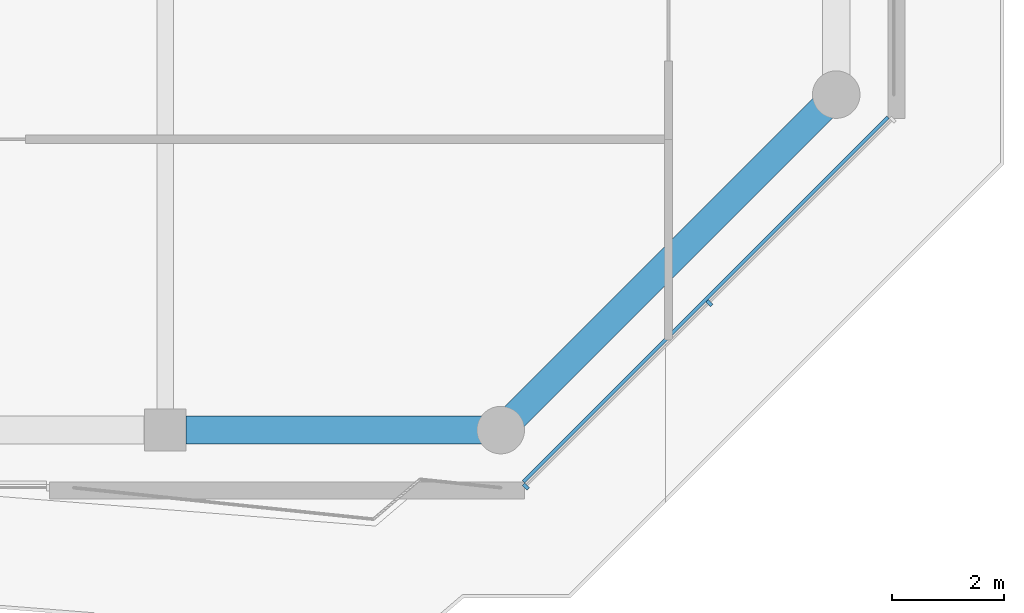
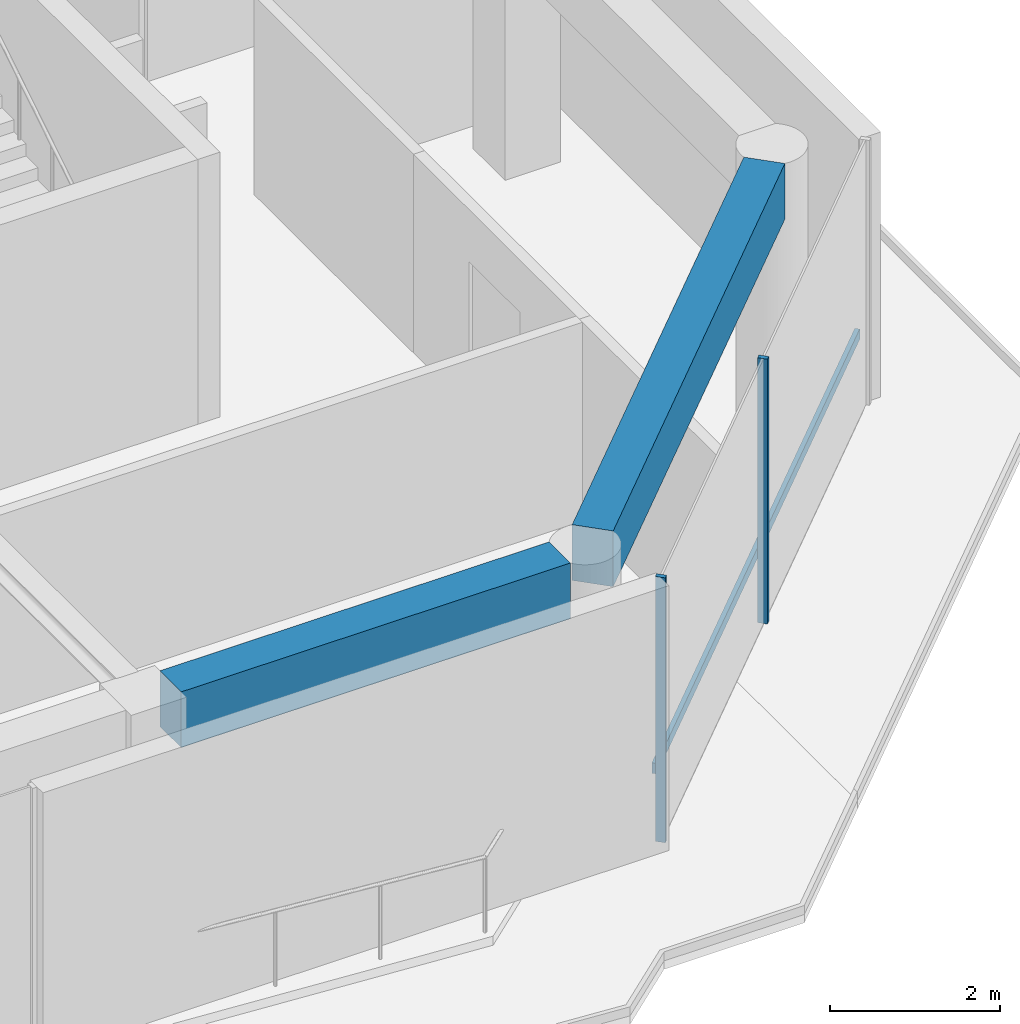
# One storey, part 3 of 22: 3 members, 2 beams, 1 element without a shape of its own.
"""IFC4 building model written with IfcOpenShell, lengths in metres."""

from ifc_helpers import new_model, si_unit, direction, frame, origin, origin_2d, place, context, subcontext, project, spatial, rectangle, extrude, material, layer, layer_set, material_profile, profile_set, type_object, element, aggregate, save


model = new_model("IFC4")

# Units and contexts
model_context = context("Model", 3, precision=1e-05, world=origin(), true_north=direction((0.0, 1.0)))
body_context = subcontext(model_context, "Body", "Model", "MODEL_VIEW")
ifc_project = project(units=[si_unit("LENGTHUNIT", "METRE"), si_unit("AREAUNIT", "SQUARE_METRE"), si_unit("VOLUMEUNIT", "CUBIC_METRE"), si_unit("PLANEANGLEUNIT", "RADIAN"), si_unit("MASSUNIT", "GRAM", prefix="KILO")], contexts=[model_context])

# Site, building, storey
site_placement = place(None, origin())
site = spatial("IfcSite", under=ifc_project, at=site_placement, CompositionType="ELEMENT")
building_placement = place(site_placement, origin())
building = spatial("IfcBuilding", under=site, at=building_placement, Name="Welwitschia Terrace Campus", CompositionType="ELEMENT")
storey_placement = place(building_placement, frame((0.0, 0.0, 268.39990234375)))
storey = spatial("IfcBuildingStorey", under=building, at=storey_placement, Name="L59", CompositionType="ELEMENT", Elevation=268.39990234375)

# Curtain wall, members
ifc_material_1 = material(Name="Bronze anodised aluminium", Category="aluminium")
ifc_layer = layer(ifc_material_1, 0.1201171875)
ifc_layer_set = layer_set([ifc_layer], Name="Bronze anodised aluminium")
curtain_wall_type = type_object("IfcCurtainWallType", Name="Curtain wall CW2 tower 6000", PredefinedType="NOTDEFINED", material=ifc_layer_set)
curtain_wall_placement = place(storey_placement, origin())
curtain_wall = element("IfcCurtainWall", 1, at=curtain_wall_placement, inside=storey, type_object=curtain_wall_type, Name="CW L59.4.0", PredefinedType="NOTDEFINED")
ifc_material_2 = material(Name="Bronze anodised aluminium", Category="aluminium")
ifc_material_profile_1 = material_profile(ifc_material_2, rectangle(XDim=0.1201171875, YDim=0.06005859375, at=origin_2d()))
ifc_profile_set_1 = profile_set([ifc_material_profile_1], Name="Bronze anodised aluminium")
member_type_1 = type_object("IfcMemberType", Name="Mullion 60x120", PredefinedType="MULLION", material=ifc_profile_set_1)
member_1_placement = place(storey_placement, frame((24.44775390625, -5.0087890625, 0.0), z_axis=(0.0, 0.0, 1.0), x_axis=(-0.707106781187, 0.707106781187, 0.0)))
member_1 = element("IfcMember", 2, at=member_1_placement, type_object=member_type_1, Name="Mullion L59.4.0.0", PredefinedType="MULLION", context=body_context, shape_type="SweptSolid", body=[
    extrude(rectangle(XDim=0.1201171875, YDim=0.06005859375, at=origin_2d()), origin(), (0.0, 0.0, 1.0), 3.800048828125),
])
member_2_placement = place(storey_placement, frame((27.728271484375, -1.728271484375, 0.0), z_axis=(0.0, 0.0, 1.0), x_axis=(-0.707106781187, 0.707106781187, 0.0)))
member_2 = element("IfcMember", 3, at=member_2_placement, type_object=member_type_1, Name="Mullion L59.4.0.1", PredefinedType="MULLION", context=body_context, shape_type="SweptSolid", body=[
    extrude(rectangle(XDim=0.1201171875, YDim=0.06005859375, at=origin_2d()), origin(), (0.0, 0.0, 1.0), 3.800048828125),
])

# Beams
ifc_material_3 = material(Name="Concrete C50/60", Category="concrete")
ifc_material_profile_2 = material_profile(ifc_material_3, rectangle(XDim=0.5, YDim=0.800048828125, at=origin_2d()))
ifc_profile_set_2 = profile_set([ifc_material_profile_2], Name="Concrete C50/60")
beam_type = type_object("IfcBeamType", Name="Ring spandrel 500x800", PredefinedType="SPANDREL", material=ifc_profile_set_2)
beam_1_placement = place(storey_placement, frame((18.37548828125, -4.0, 3.400146484375), z_axis=(1.0, 0.0, 0.0), x_axis=(0.0, 1.0, 0.0)))
element("IfcBeam", 4, at=beam_1_placement, inside=storey, type_object=beam_type, Name="Spandrel SP4", PredefinedType="SPANDREL", context=body_context, shape_type="SweptSolid", body=[
    extrude(rectangle(XDim=0.5, YDim=0.800048828125, at=origin_2d()), origin(), (0.0, 0.0, 1.0), 5.280029296875),
])
beam_2_placement = place(storey_placement, frame((24.24365234375, -3.75634765625, 3.400146484375), z_axis=(0.707106781187, 0.707106781187, 0.0), x_axis=(-0.707106781187, 0.707106781187, 0.0)))
element("IfcBeam", 5, at=beam_2_placement, inside=storey, type_object=beam_type, Name="Spandrel SP4", PredefinedType="SPANDREL", context=body_context, shape_type="SweptSolid", body=[
    extrude(rectangle(XDim=0.5, YDim=0.800048828125, at=origin_2d()), origin(), (0.0, 0.0, 1.0), 7.796142578125),
])

# Member
ifc_material_4 = material(Name="Bronze anodised aluminium", Category="aluminium")
ifc_material_profile_3 = material_profile(ifc_material_4, rectangle(XDim=0.06005859375, YDim=0.14990234375, at=origin_2d()))
ifc_profile_set_3 = profile_set([ifc_material_profile_3], Name="Bronze anodised aluminium")
member_type_2 = type_object("IfcMemberType", Name="Transom 60x150", PredefinedType="USERDEFINED", material=ifc_profile_set_3)
member_3_placement = place(storey_placement, frame((24.405517578125, -4.923828125, 1.0), z_axis=(0.707106781187, 0.707106781187, 0.0), x_axis=(-0.707106781187, 0.707106781187, 0.0)))
member_3 = element("IfcMember", 6, at=member_3_placement, type_object=member_type_2, Name="Transom L59.4.0", ObjectType="TRANSOM", PredefinedType="USERDEFINED", context=body_context, shape_type="SweptSolid", body=[
    extrude(rectangle(XDim=0.06005859375, YDim=0.14990234375, at=origin_2d()), origin(), (0.0, 0.0, 1.0), 9.21826171875),
])

aggregate(curtain_wall, [member_1, member_2, member_3])

save(model, "model.ifc")
